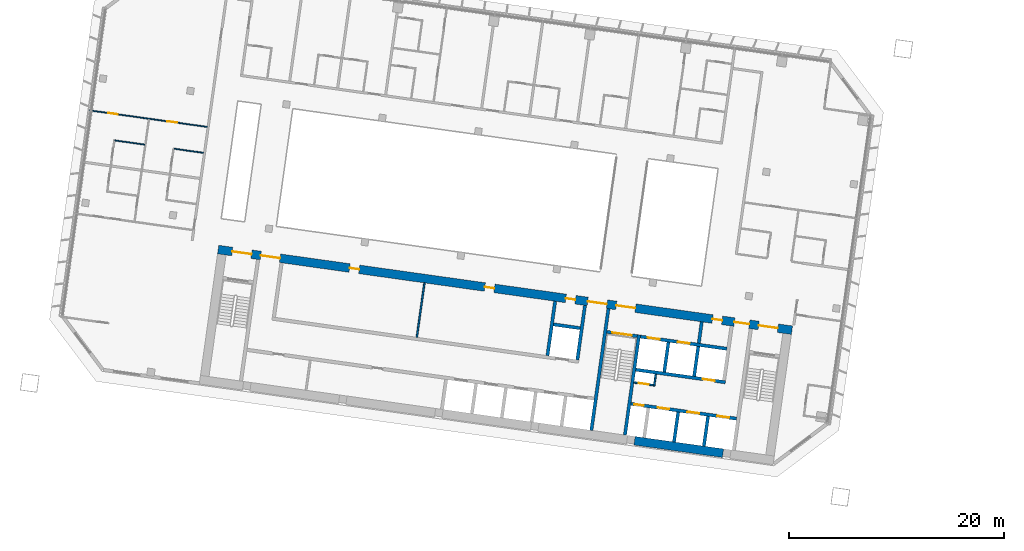
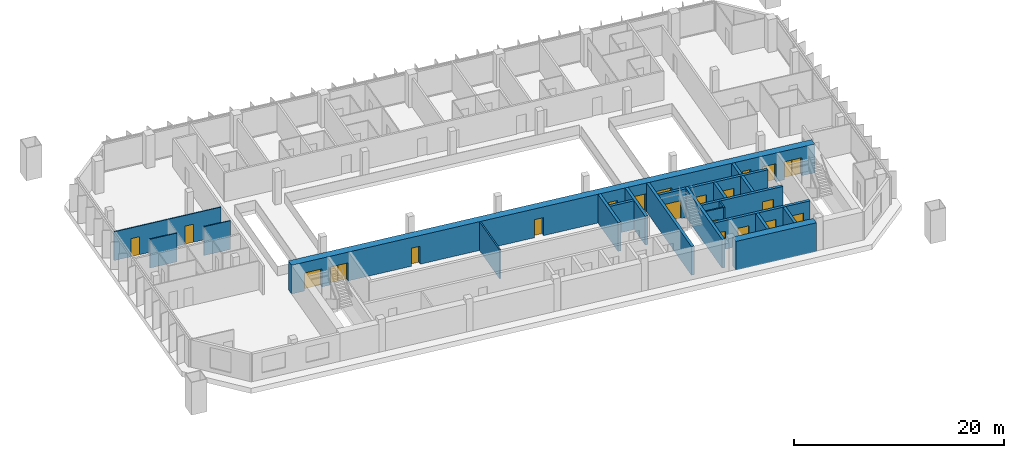
# One storey, part 15 of 24: 22 walls, 21 doors, 21 openings.
"""IFC4 building model written with IfcOpenShell, lengths in metres."""

from ifc_helpers import new_model, si_unit, direction, frame, frame_2d, origin, place, context, subcontext, project, spatial, rectangle, extrude, material, layer, layer_set, type_object, element, fill, save


model = new_model("IFC4")

# Units and contexts
model_context = context("Model", 3, precision=1e-05, world=origin(), true_north=direction((0.0, 1.0)))
body_context = subcontext(model_context, "Body", "Model", "MODEL_VIEW")
ifc_project = project(units=[si_unit("LENGTHUNIT", "METRE"), si_unit("AREAUNIT", "SQUARE_METRE"), si_unit("VOLUMEUNIT", "CUBIC_METRE"), si_unit("PLANEANGLEUNIT", "RADIAN"), si_unit("MASSUNIT", "GRAM", prefix="KILO")], contexts=[model_context])

# Site, building, storey
site_placement = place(None, origin())
site = spatial("IfcSite", under=ifc_project, at=site_placement, CompositionType="ELEMENT")
building_placement = place(site_placement, origin())
building = spatial("IfcBuilding", under=site, at=building_placement, Name="Mirante Cascada Hotel Towers", CompositionType="ELEMENT")
storey_placement = place(building_placement, frame((0.0, 0.0, 110.1)))
storey = spatial("IfcBuildingStorey", under=building, at=storey_placement, Name="L24", CompositionType="ELEMENT", Elevation=110.1)

# Wall
ifc_material_1 = material(Name="Masonry block", Category="masonry")
ifc_layer_1 = layer(ifc_material_1, 0.15)
ifc_layer_set_1 = layer_set([ifc_layer_1], Name="Core room partition 150 block EI 30")
wall_type_1 = type_object("IfcWallType", Name="Core room partition 150 block EI 30", PredefinedType="PARTITIONING", material=ifc_layer_set_1)
wall_1_placement = place(storey_placement, frame((-48.2295, -12.793, 0.0), z_axis=(0.0, 0.0, 1.0), x_axis=(0.1391935, 0.9902652, 0.0)))
element("IfcWall", 1, at=wall_1_placement, inside=storey, type_object=wall_type_1, Name="Core wall partition T1 L24 2", PredefinedType="PARTITIONING", context=body_context, shape_type="SweptSolid", body=[
    extrude(rectangle(XDim=1.1251, YDim=0.15, at=frame_2d((0.5626, 0.0))), origin(), (0.0, 0.0, 1.0), 3.35),
])

# Wall, opening, door
wall_2_placement = place(storey_placement, frame((-48.2933, -12.7083, 0.0), z_axis=(0.0, 0.0, 1.0), x_axis=(-0.990268, 0.1391734, 0.0)))
wall_2 = element("IfcWall", 2, at=wall_2_placement, inside=storey, type_object=wall_type_1, Name="Core wall partition T1 L24 3", PredefinedType="PARTITIONING", context=body_context, shape_type="SweptSolid", body=[
    extrude(rectangle(XDim=1.8251, YDim=0.15, at=frame_2d((0.9126, 0.0))), origin(), (0.0, 0.0, 1.0), 3.35),
])
opening_1_placement = place(wall_2_placement, frame((0.4625, 0.0, 0.0)))
opening_1 = element("IfcOpeningElement", 3, at=opening_1_placement, cuts=wall_2, Name="Opening D1-24-C23", PredefinedType="OPENING", context=body_context, shape_type="SweptSolid", body=[
    extrude(rectangle(XDim=0.9, YDim=2.1, at=frame_2d((0.45, 1.05))), frame((0.0, 0.075, 0.0), z_axis=(0.0, -1.0, 0.0), x_axis=(1.0, 0.0, 0.0)), (0.0, 0.0, 1.0), 0.15),
])
ifc_material_2 = material(Name="Hollow metal fire door leaf")
door_type_1 = type_object("IfcDoorType", Name="Fire door 900x2100 FD60", OperationType="NOTDEFINED", PredefinedType="DOOR", material=ifc_material_2)
door_1_placement = place(opening_1_placement, origin())
door_1 = element("IfcDoor", 4, at=door_1_placement, inside=storey, type_object=door_type_1, Name="Riser door T1 L24 23", OperationType="SINGLE_SWING_LEFT", OverallHeight=2.1, OverallWidth=0.9, PredefinedType="DOOR", context=body_context, shape_type="SweptSolid", body=[
    extrude(rectangle(XDim=0.9, YDim=2.1, at=frame_2d((0.45, 1.05))), frame((0.0, 0.025, 0.0), z_axis=(0.0, -1.0, 0.0), x_axis=(1.0, 0.0, 0.0)), (0.0, 0.0, 1.0), 0.05),
])
fill(opening_1, door_1)

# Walls
wall_3_placement = place(storey_placement, frame((-70.2627, -8.2574, 0.0), z_axis=(0.0, 0.0, 1.0), x_axis=(0.1391755, 0.9902677, 0.0)))
element("IfcWall", 5, at=wall_3_placement, inside=storey, type_object=wall_type_1, Name="Core wall partition T1 L24 5", PredefinedType="PARTITIONING", context=body_context, shape_type="SweptSolid", body=[
    extrude(rectangle(XDim=5.1, YDim=0.15, at=frame_2d((2.55, 0.0))), origin(), (0.0, 0.0, 1.0), 3.35),
])
ifc_material_3 = material(Name="Masonry block", Category="masonry")
ifc_layer_2 = layer(ifc_material_3, 0.3)
ifc_layer_set_2 = layer_set([ifc_layer_2], Name="Core wall 300 block EI 120")
wall_type_2 = type_object("IfcWallType", Name="Core wall 300 block EI 120", PredefinedType="PARTITIONING", material=ifc_layer_set_2)
wall_4_placement = place(storey_placement, frame((-44.0843, -8.8061, 0.0), z_axis=(0.0, 0.0, 1.0), x_axis=(0.1391951, 0.990265, 0.0)))
element("IfcWall", 6, at=wall_4_placement, inside=storey, type_object=wall_type_2, Name="Core wall partition T1 L24 1", PredefinedType="PARTITIONING", context=body_context, shape_type="SweptSolid", body=[
    extrude(rectangle(XDim=2.0001, YDim=0.3, at=frame_2d((1.0001, 0.0))), origin(), (0.0, 0.0, 1.0), 3.35),
])
ifc_material_4 = material(Name="Plasterboard on metal studs")
ifc_layer_3 = layer(ifc_material_4, 0.1)
ifc_layer_set_3 = layer_set([ifc_layer_3], Name="Partition 100")
wall_type_3 = type_object("IfcWallType", Name="Partition 100", PredefinedType="PARTITIONING", material=ifc_layer_set_3)
wall_5_placement = place(storey_placement, frame((-92.7956, 9.2489, 0.0), z_axis=(0.0, 0.0, 1.0), x_axis=(0.9902698, -0.1391607, 0.0)))
element("IfcWall", 7, at=wall_5_placement, inside=storey, type_object=wall_type_3, Name="Wall 1-L24-14", PredefinedType="PARTITIONING", context=body_context, shape_type="SweptSolid", body=[
    extrude(rectangle(XDim=2.7501, YDim=0.1, at=frame_2d((1.3751, 0.0))), origin(), (0.0, 0.0, 1.0), 3.35),
])
wall_6_placement = place(storey_placement, frame((-95.5188, 9.6317, 0.0), z_axis=(0.0, 0.0, 1.0), x_axis=(-0.9902726, 0.139141, 0.0)))
element("IfcWall", 8, at=wall_6_placement, inside=storey, type_object=wall_type_3, Name="Wall 1-L24-15", PredefinedType="PARTITIONING", context=body_context, shape_type="SweptSolid", body=[
    extrude(rectangle(XDim=2.8, YDim=0.1, at=frame_2d((1.4, 0.0))), origin(), (0.0, 0.0, 1.0), 3.35),
])

# Wall, openings, doors
wall_7_placement = place(storey_placement, frame((-89.7337, 11.2758, 0.0), z_axis=(0.0, 0.0, 1.0), x_axis=(-0.990268, 0.1391733, 0.0)))
wall_7 = element("IfcWall", 9, at=wall_7_placement, inside=storey, type_object=wall_type_3, Name="Wall 1-L24-17", PredefinedType="PARTITIONING", context=body_context, shape_type="SweptSolid", body=[
    extrude(rectangle(XDim=11.0, YDim=0.1, at=frame_2d((5.5, 0.0))), origin(), (0.0, 0.0, 1.0), 3.35),
])
opening_2_placement = place(wall_7_placement, frame((2.825, 0.0, 0.0)))
opening_2 = element("IfcOpeningElement", 10, at=opening_2_placement, cuts=wall_7, Name="Opening D1-L24-07", PredefinedType="OPENING", context=body_context, shape_type="SweptSolid", body=[
    extrude(rectangle(XDim=0.9, YDim=2.1, at=frame_2d((0.45, 1.05))), frame((0.0, 0.05, 0.0), z_axis=(0.0, -1.0, 0.0), x_axis=(1.0, 0.0, 0.0)), (0.0, 0.0, 1.0), 0.1),
])
opening_3_placement = place(wall_7_placement, frame((8.375, 0.0, 0.0)))
opening_3 = element("IfcOpeningElement", 11, at=opening_3_placement, cuts=wall_7, Name="Opening D1-L24-08", PredefinedType="OPENING", context=body_context, shape_type="SweptSolid", body=[
    extrude(rectangle(XDim=0.9, YDim=2.1, at=frame_2d((0.45, 1.05))), frame((0.0, 0.05, 0.0), z_axis=(0.0, -1.0, 0.0), x_axis=(1.0, 0.0, 0.0)), (0.0, 0.0, 1.0), 0.1),
])
ifc_material_5 = material(Name="Timber door leaf", Category="wood")
door_type_2 = type_object("IfcDoorType", Name="Room door DG3 900x2100", OperationType="SINGLE_SWING_LEFT", PredefinedType="DOOR", material=ifc_material_5)
door_2_placement = place(opening_2_placement, frame((0.9, 0.0, 0.0), z_axis=(0.0, 0.0, 1.0), x_axis=(-1.0, 0.0, 0.0)))
door_2 = element("IfcDoor", 12, at=door_2_placement, inside=storey, type_object=door_type_2, Name="Door D1-L24-07", OperationType="SINGLE_SWING_RIGHT", OverallHeight=2.1, OverallWidth=0.9, PredefinedType="DOOR", context=body_context, shape_type="SweptSolid", body=[
    extrude(rectangle(XDim=0.9, YDim=2.1, at=frame_2d((0.45, 1.05))), frame((0.0, 0.025, 0.0), z_axis=(0.0, -1.0, 0.0), x_axis=(1.0, 0.0, 0.0)), (0.0, 0.0, 1.0), 0.05),
])
fill(opening_2, door_2)
door_3_placement = place(opening_3_placement, frame((0.9, 0.0, 0.0), z_axis=(0.0, 0.0, 1.0), x_axis=(-1.0, 0.0, 0.0)))
door_3 = element("IfcDoor", 13, at=door_3_placement, inside=storey, type_object=door_type_2, Name="Door D1-L24-08", OperationType="SINGLE_SWING_RIGHT", OverallHeight=2.1, OverallWidth=0.9, PredefinedType="DOOR", context=body_context, shape_type="SweptSolid", body=[
    extrude(rectangle(XDim=0.9, YDim=2.1, at=frame_2d((0.45, 1.05))), frame((0.0, 0.025, 0.0), z_axis=(0.0, -1.0, 0.0), x_axis=(1.0, 0.0, 0.0)), (0.0, 0.0, 1.0), 0.05),
])
fill(opening_3, door_3)

# Walls
ifc_material_6 = material(Name="Concrete C50/60", Category="concrete")
ifc_layer_4 = layer(ifc_material_6, 0.3)
ifc_layer_set_4 = layer_set([ifc_layer_4], Name="RC core wall 300 C50/60")
wall_type_4 = type_object("IfcWallType", Name="RC core wall 300 C50/60", PredefinedType="SHEAR", material=ifc_layer_set_4)
wall_8_placement = place(storey_placement, frame((-50.938, -17.3352, 0.0), z_axis=(0.0, 0.0, 1.0), x_axis=(0.1391706, 0.9902684, 0.0)))
element("IfcWall", 14, at=wall_8_placement, inside=storey, type_object=wall_type_4, Name="Core wall T1:L24:6", PredefinedType="SHEAR", context=body_context, shape_type="SweptSolid", body=[
    extrude(rectangle(XDim=9.4, YDim=0.3, at=frame_2d((4.7, 0.0))), origin(), (0.0, 0.0, 1.0), 3.35),
])
wall_9_placement = place(storey_placement, frame((-54.0574, -16.8968, 0.0), z_axis=(0.0, 0.0, 1.0), x_axis=(0.1391761, 0.9902677, 0.0)))
element("IfcWall", 15, at=wall_9_placement, inside=storey, type_object=wall_type_4, Name="Core wall T1:L24:7", PredefinedType="SHEAR", context=body_context, shape_type="SweptSolid", body=[
    extrude(rectangle(XDim=11.3999, YDim=0.3, at=frame_2d((5.7, 0.0))), origin(), (0.0, 0.0, 1.0), 3.35),
])

# Wall, opening, door
wall_10_placement = place(storey_placement, frame((-49.7992, -8.1544, 0.0), z_axis=(0.0, 0.0, 1.0), x_axis=(-0.9902656, 0.1391909, 0.0)))
wall_10 = element("IfcWall", 16, at=wall_10_placement, inside=storey, type_object=wall_type_4, Name="Core wall T1:L24:10", PredefinedType="SHEAR", context=body_context, shape_type="SweptSolid", body=[
    extrude(rectangle(XDim=2.85, YDim=0.3, at=frame_2d((1.425, 0.0))), origin(), (0.0, 0.0, 1.0), 3.35),
])
opening_4_placement = place(wall_10_placement, frame((0.525, 0.0, 0.0)))
opening_4 = element("IfcOpeningElement", 17, at=opening_4_placement, cuts=wall_10, Name="Opening D1-24-C15", PredefinedType="OPENING", context=body_context, shape_type="SweptSolid", body=[
    extrude(rectangle(XDim=1.8, YDim=2.1, at=frame_2d((0.9, 1.05))), frame((0.0, 0.15, 0.0), z_axis=(0.0, -1.0, 0.0), x_axis=(1.0, 0.0, 0.0)), (0.0, 0.0, 1.0), 0.3),
])
ifc_material_7 = material(Name="Hollow metal fire door leaf")
door_type_3 = type_object("IfcDoorType", Name="Double fire door 1800x2100 FD60", OperationType="DOUBLE_DOOR_SINGLE_SWING", PredefinedType="DOOR", material=ifc_material_7)
door_4_placement = place(opening_4_placement, origin())
door_4 = element("IfcDoor", 18, at=door_4_placement, inside=storey, type_object=door_type_3, Name="Stair door T1 L24 15", OperationType="DOUBLE_DOOR_SINGLE_SWING", OverallHeight=2.1, OverallWidth=1.8, PredefinedType="DOOR", context=body_context, shape_type="SweptSolid", body=[
    extrude(rectangle(XDim=0.895, YDim=2.1, at=frame_2d((0.4475, 1.05))), frame((0.0, 0.025, 0.0), z_axis=(0.0, -1.0, 0.0), x_axis=(1.0, 0.0, 0.0)), (0.0, 0.0, 1.0), 0.05),
    extrude(rectangle(XDim=0.895, YDim=2.1, at=frame_2d((1.3525, 1.05))), frame((0.0, 0.025, 0.0), z_axis=(0.0, -1.0, 0.0), x_axis=(1.0, 0.0, 0.0)), (0.0, 0.0, 1.0), 0.05),
])
fill(opening_4, door_4)

# Wall, openings, doors
wall_11_placement = place(storey_placement, frame((-40.5753, -15.8126, 0.0), z_axis=(0.0, 0.0, 1.0), x_axis=(-0.9902682, 0.1391725, 0.0)))
wall_11 = element("IfcWall", 19, at=wall_11_placement, inside=storey, type_object=wall_type_4, Name="Core wall T1:L24:12", PredefinedType="SHEAR", context=body_context, shape_type="SweptSolid", body=[
    extrude(rectangle(XDim=9.8999, YDim=0.3, at=frame_2d((4.95, 0.0))), origin(), (0.0, 0.0, 1.0), 3.35),
])
opening_5_placement = place(wall_11_placement, frame((0.7, 0.0, 0.0)))
opening_5 = element("IfcOpeningElement", 20, at=opening_5_placement, cuts=wall_11, Name="Opening LD", PredefinedType="OPENING", context=body_context, shape_type="SweptSolid", body=[
    extrude(rectangle(XDim=1.1, YDim=2.1, at=frame_2d((0.55, 1.05))), frame((0.0, 0.15, 0.0), z_axis=(0.0, -1.0, 0.0), x_axis=(1.0, 0.0, 0.0)), (0.0, 0.0, 1.0), 0.3),
])
opening_6_placement = place(wall_11_placement, frame((3.5, 0.0, 0.0)))
opening_6 = element("IfcOpeningElement", 21, at=opening_6_placement, cuts=wall_11, Name="Opening LD", PredefinedType="OPENING", context=body_context, shape_type="SweptSolid", body=[
    extrude(rectangle(XDim=1.1, YDim=2.1, at=frame_2d((0.55, 1.05))), frame((0.0, 0.15, 0.0), z_axis=(0.0, -1.0, 0.0), x_axis=(1.0, 0.0, 0.0)), (0.0, 0.0, 1.0), 0.3),
])
opening_7_placement = place(wall_11_placement, frame((6.3, 0.0, 0.0)))
opening_7 = element("IfcOpeningElement", 22, at=opening_7_placement, cuts=wall_11, Name="Opening LD", PredefinedType="OPENING", context=body_context, shape_type="SweptSolid", body=[
    extrude(rectangle(XDim=1.1, YDim=2.1, at=frame_2d((0.55, 1.05))), frame((0.0, 0.15, 0.0), z_axis=(0.0, -1.0, 0.0), x_axis=(1.0, 0.0, 0.0)), (0.0, 0.0, 1.0), 0.3),
])
opening_8_placement = place(wall_11_placement, frame((8.7, 0.0, 0.0)))
opening_8 = element("IfcOpeningElement", 23, at=opening_8_placement, cuts=wall_11, Name="Opening D1-24-C22", PredefinedType="OPENING", context=body_context, shape_type="SweptSolid", body=[
    extrude(rectangle(XDim=0.9, YDim=2.1, at=frame_2d((0.45, 1.05))), frame((0.0, 0.15, 0.0), z_axis=(0.0, -1.0, 0.0), x_axis=(1.0, 0.0, 0.0)), (0.0, 0.0, 1.0), 0.3),
])
door_5_placement = place(opening_8_placement, origin())
door_5 = element("IfcDoor", 24, at=door_5_placement, inside=storey, type_object=door_type_1, Name="Riser door T1 L24 22", OperationType="SINGLE_SWING_LEFT", OverallHeight=2.1, OverallWidth=0.9, PredefinedType="DOOR", context=body_context, shape_type="SweptSolid", body=[
    extrude(rectangle(XDim=0.9, YDim=2.1, at=frame_2d((0.45, 1.05))), frame((0.0, 0.025, 0.0), z_axis=(0.0, -1.0, 0.0), x_axis=(1.0, 0.0, 0.0)), (0.0, 0.0, 1.0), 0.05),
])
fill(opening_8, door_5)
ifc_material_8 = material(Name="Stainless steel", Category="steel")
door_type_4 = type_object("IfcDoorType", Name="Lift landing door 1100x2100 EI 120", OperationType="DOUBLE_DOOR_SLIDING", PredefinedType="DOOR", material=ifc_material_8)
door_6_placement = place(opening_5_placement, origin())
door_6 = element("IfcDoor", 25, at=door_6_placement, inside=storey, type_object=door_type_4, Name="Lift landing door HR1-1 L24", OperationType="DOUBLE_DOOR_SLIDING", OverallHeight=2.1, OverallWidth=1.1, PredefinedType="DOOR", context=body_context, shape_type="SweptSolid", body=[
    extrude(rectangle(XDim=0.545, YDim=2.1, at=frame_2d((0.2725, 1.05))), frame((0.0, 0.025, 0.0), z_axis=(0.0, -1.0, 0.0), x_axis=(1.0, 0.0, 0.0)), (0.0, 0.0, 1.0), 0.05),
    extrude(rectangle(XDim=0.545, YDim=2.1, at=frame_2d((0.8275, 1.05))), frame((0.0, 0.025, 0.0), z_axis=(0.0, -1.0, 0.0), x_axis=(1.0, 0.0, 0.0)), (0.0, 0.0, 1.0), 0.05),
])
fill(opening_5, door_6)
door_7_placement = place(opening_6_placement, origin())
door_7 = element("IfcDoor", 26, at=door_7_placement, inside=storey, type_object=door_type_4, Name="Lift landing door HR1-2 L24", OperationType="DOUBLE_DOOR_SLIDING", OverallHeight=2.1, OverallWidth=1.1, PredefinedType="DOOR", context=body_context, shape_type="SweptSolid", body=[
    extrude(rectangle(XDim=0.545, YDim=2.1, at=frame_2d((0.2725, 1.05))), frame((0.0, 0.025, 0.0), z_axis=(0.0, -1.0, 0.0), x_axis=(1.0, 0.0, 0.0)), (0.0, 0.0, 1.0), 0.05),
    extrude(rectangle(XDim=0.545, YDim=2.1, at=frame_2d((0.8275, 1.05))), frame((0.0, 0.025, 0.0), z_axis=(0.0, -1.0, 0.0), x_axis=(1.0, 0.0, 0.0)), (0.0, 0.0, 1.0), 0.05),
])
fill(opening_6, door_7)
door_8_placement = place(opening_7_placement, origin())
door_8 = element("IfcDoor", 27, at=door_8_placement, inside=storey, type_object=door_type_4, Name="Lift landing door HR1-3 L24", OperationType="DOUBLE_DOOR_SLIDING", OverallHeight=2.1, OverallWidth=1.1, PredefinedType="DOOR", context=body_context, shape_type="SweptSolid", body=[
    extrude(rectangle(XDim=0.545, YDim=2.1, at=frame_2d((0.2725, 1.05))), frame((0.0, 0.025, 0.0), z_axis=(0.0, -1.0, 0.0), x_axis=(1.0, 0.0, 0.0)), (0.0, 0.0, 1.0), 0.05),
    extrude(rectangle(XDim=0.545, YDim=2.1, at=frame_2d((0.8275, 1.05))), frame((0.0, 0.025, 0.0), z_axis=(0.0, -1.0, 0.0), x_axis=(1.0, 0.0, 0.0)), (0.0, 0.0, 1.0), 0.05),
])
fill(opening_7, door_8)

# Wall, opening, door
wall_12_placement = place(storey_placement, frame((-41.6153, -12.435, 0.0), z_axis=(0.0, 0.0, 1.0), x_axis=(-0.9902691, 0.139166, 0.0)))
wall_12 = element("IfcWall", 28, at=wall_12_placement, inside=storey, type_object=wall_type_4, Name="Core wall T1:L24:13", PredefinedType="SHEAR", context=body_context, shape_type="SweptSolid", body=[
    extrude(rectangle(XDim=8.4, YDim=0.3, at=frame_2d((4.2, 0.0))), origin(), (0.0, 0.0, 1.0), 3.35),
])
opening_9_placement = place(wall_12_placement, frame((1.0, 0.0, 0.0)))
opening_9 = element("IfcOpeningElement", 29, at=opening_9_placement, cuts=wall_12, Name="Opening LD", PredefinedType="OPENING", context=body_context, shape_type="SweptSolid", body=[
    extrude(rectangle(XDim=1.1, YDim=2.1, at=frame_2d((0.55, 1.05))), frame((0.0, 0.15, 0.0), z_axis=(0.0, -1.0, 0.0), x_axis=(1.0, 0.0, 0.0)), (0.0, 0.0, 1.0), 0.3),
])
door_9_placement = place(opening_9_placement, origin())
door_9 = element("IfcDoor", 30, at=door_9_placement, inside=storey, type_object=door_type_4, Name="Lift landing door HR1-4 L24", OperationType="DOUBLE_DOOR_SLIDING", OverallHeight=2.1, OverallWidth=1.1, PredefinedType="DOOR", context=body_context, shape_type="SweptSolid", body=[
    extrude(rectangle(XDim=0.545, YDim=2.1, at=frame_2d((0.2725, 1.05))), frame((0.0, 0.025, 0.0), z_axis=(0.0, -1.0, 0.0), x_axis=(1.0, 0.0, 0.0)), (0.0, 0.0, 1.0), 0.05),
    extrude(rectangle(XDim=0.545, YDim=2.1, at=frame_2d((0.8275, 1.05))), frame((0.0, 0.025, 0.0), z_axis=(0.0, -1.0, 0.0), x_axis=(1.0, 0.0, 0.0)), (0.0, 0.0, 1.0), 0.05),
])
fill(opening_9, door_9)

# Wall, openings, doors
wall_13_placement = place(storey_placement, frame((-41.481, -9.3234, 0.0), z_axis=(0.0, 0.0, 1.0), x_axis=(-0.9902679, 0.1391741, 0.0)))
wall_13 = element("IfcWall", 31, at=wall_13_placement, inside=storey, type_object=wall_type_4, Name="Core wall T1:L24:14", PredefinedType="SHEAR", context=body_context, shape_type="SweptSolid", body=[
    extrude(rectangle(XDim=8.0999, YDim=0.3, at=frame_2d((4.05, 0.0))), origin(), (0.0, 0.0, 1.0), 3.35),
])
opening_10_placement = place(wall_13_placement, frame((3.5, 0.0, 0.0)))
opening_10 = element("IfcOpeningElement", 32, at=opening_10_placement, cuts=wall_13, Name="Opening LD", PredefinedType="OPENING", context=body_context, shape_type="SweptSolid", body=[
    extrude(rectangle(XDim=1.1, YDim=2.1, at=frame_2d((0.55, 1.05))), frame((0.0, 0.15, 0.0), z_axis=(0.0, -1.0, 0.0), x_axis=(1.0, 0.0, 0.0)), (0.0, 0.0, 1.0), 0.3),
])
opening_11_placement = place(wall_13_placement, frame((6.3, 0.0, 0.0)))
opening_11 = element("IfcOpeningElement", 33, at=opening_11_placement, cuts=wall_13, Name="Opening LD", PredefinedType="OPENING", context=body_context, shape_type="SweptSolid", body=[
    extrude(rectangle(XDim=1.1, YDim=2.1, at=frame_2d((0.55, 1.05))), frame((0.0, 0.15, 0.0), z_axis=(0.0, -1.0, 0.0), x_axis=(1.0, 0.0, 0.0)), (0.0, 0.0, 1.0), 0.3),
])
door_10_placement = place(opening_10_placement, origin())
door_10 = element("IfcDoor", 34, at=door_10_placement, inside=storey, type_object=door_type_4, Name="Lift landing door FF1 L24", OperationType="DOUBLE_DOOR_SLIDING", OverallHeight=2.1, OverallWidth=1.1, PredefinedType="DOOR", context=body_context, shape_type="SweptSolid", body=[
    extrude(rectangle(XDim=0.545, YDim=2.1, at=frame_2d((0.2725, 1.05))), frame((0.0, 0.025, 0.0), z_axis=(0.0, -1.0, 0.0), x_axis=(1.0, 0.0, 0.0)), (0.0, 0.0, 1.0), 0.05),
    extrude(rectangle(XDim=0.545, YDim=2.1, at=frame_2d((0.8275, 1.05))), frame((0.0, 0.025, 0.0), z_axis=(0.0, -1.0, 0.0), x_axis=(1.0, 0.0, 0.0)), (0.0, 0.0, 1.0), 0.05),
])
fill(opening_10, door_10)
door_11_placement = place(opening_11_placement, origin())
door_11 = element("IfcDoor", 35, at=door_11_placement, inside=storey, type_object=door_type_4, Name="Lift landing door FF2 L24", OperationType="DOUBLE_DOOR_SLIDING", OverallHeight=2.1, OverallWidth=1.1, PredefinedType="DOOR", context=body_context, shape_type="SweptSolid", body=[
    extrude(rectangle(XDim=0.545, YDim=2.1, at=frame_2d((0.2725, 1.05))), frame((0.0, 0.025, 0.0), z_axis=(0.0, -1.0, 0.0), x_axis=(1.0, 0.0, 0.0)), (0.0, 0.0, 1.0), 0.05),
    extrude(rectangle(XDim=0.545, YDim=2.1, at=frame_2d((0.8275, 1.05))), frame((0.0, 0.025, 0.0), z_axis=(0.0, -1.0, 0.0), x_axis=(1.0, 0.0, 0.0)), (0.0, 0.0, 1.0), 0.05),
])
fill(opening_11, door_11)

# Walls
wall_14_placement = place(storey_placement, frame((-43.61, -18.3651, 0.0), z_axis=(0.0, 0.0, 1.0), x_axis=(0.1391459, 0.9902719, 0.0)))
element("IfcWall", 36, at=wall_14_placement, inside=storey, type_object=wall_type_4, Name="Core wall T1:L24:15", PredefinedType="SHEAR", context=body_context, shape_type="SweptSolid", body=[
    extrude(rectangle(XDim=2.7999, YDim=0.3, at=frame_2d((1.4, 0.0))), origin(), (0.0, 0.0, 1.0), 3.35),
])
for number, where, z_axis, x_axis, name in (
    (37, (-46.3828, -17.9754, 0.0), (0.0, 0.0, 1.0), (0.139181, 0.990267, 0.0), "Core wall T1:L24:16"),
    (38, (-44.5157, -11.8759, 0.0), (0.0, 0.0, 1.0), (0.139181, 0.990267, 0.0), "Core wall T1:L24:18"),
    (39, (-47.2885, -11.4862, 0.0), (0.0, 0.0, 1.0), (0.139181, 0.990267, 0.0), "Core wall T1:L24:19"),
):
    element("IfcWall", number, at=place(storey_placement, frame(where, z_axis=z_axis, x_axis=x_axis)), inside=storey, type_object=wall_type_4, Name=name, PredefinedType="SHEAR", context=body_context, shape_type="SweptSolid", body=[
        extrude(rectangle(XDim=2.8, YDim=0.3, at=frame_2d((1.4, 0.0))), origin(), (0.0, 0.0, 1.0), 3.35),
    ])
for number, where, z_axis, x_axis, name in (
    (40, (-55.3592, -10.352, 0.0), (0.0, 0.0, 1.0), (0.1391755, 0.9902677, 0.0), "Core wall T1:L24:32"),
    (41, (-58.1319, -9.9623, 0.0), (0.0, 0.0, 1.0), (0.1391755, 0.9902677, 0.0), "Core wall T1:L24:34"),
):
    element("IfcWall", number, at=place(storey_placement, frame(where, z_axis=z_axis, x_axis=x_axis)), inside=storey, type_object=wall_type_4, Name=name, PredefinedType="SHEAR", context=body_context, shape_type="SweptSolid", body=[
        extrude(rectangle(XDim=5.1, YDim=0.3, at=frame_2d((2.55, 0.0))), origin(), (0.0, 0.0, 1.0), 3.35),
    ])
wall_15_placement = place(storey_placement, frame((-55.0971, -7.4098, 0.0), z_axis=(0.0, 0.0, 1.0), x_axis=(-0.9902701, 0.1391586, 0.0)))
element("IfcWall", 42, at=wall_15_placement, inside=storey, type_object=wall_type_4, Name="Core wall T1:L24:35", PredefinedType="SHEAR", context=body_context, shape_type="SweptSolid", body=[
    extrude(rectangle(XDim=2.5, YDim=0.3, at=frame_2d((1.25, 0.0))), origin(), (0.0, 0.0, 1.0), 3.35),
])
ifc_material_9 = material(Name="Concrete C50/60", Category="concrete")
ifc_layer_5 = layer(ifc_material_9, 0.8)
ifc_layer_set_5 = layer_set([ifc_layer_5], Name="RC core wall 800 C50/60")
wall_type_5 = type_object("IfcWallType", Name="RC core wall 800 C50/60", PredefinedType="SHEAR", material=ifc_layer_set_5)
wall_16_placement = place(storey_placement, frame((-41.8337, -19.0187, 0.0), z_axis=(0.0, 0.0, 1.0), x_axis=(-0.9902686, 0.1391692, 0.0)))
element("IfcWall", 43, at=wall_16_placement, inside=storey, type_object=wall_type_5, Name="Core wall T1:L24:1.2", PredefinedType="SHEAR", context=body_context, shape_type="SweptSolid", body=[
    extrude(rectangle(XDim=8.3, YDim=0.8, at=frame_2d((4.15, 0.0))), origin(), (0.0, 0.0, 1.0), 3.35),
])

# Wall, openings, doors
wall_17_placement = place(storey_placement, frame((-35.432, -7.5985, 0.0), z_axis=(0.0, 0.0, 1.0), x_axis=(-0.9902681, 0.1391729, 0.0)))
wall_17 = element("IfcWall", 44, at=wall_17_placement, inside=storey, type_object=wall_type_5, Name="Core wall T1:L24:2", PredefinedType="SHEAR", context=body_context, shape_type="SweptSolid", body=[
    extrude(rectangle(XDim=53.8, YDim=0.8, at=frame_2d((26.9, 0.0))), origin(), (0.0, 0.0, 1.0), 3.35),
])
opening_12_placement = place(wall_17_placement, frame((1.325, 0.0, 0.0)))
opening_12 = element("IfcOpeningElement", 45, at=opening_12_placement, cuts=wall_17, Name="Opening D1-24-C14", PredefinedType="OPENING", context=body_context, shape_type="SweptSolid", body=[
    extrude(rectangle(XDim=1.8, YDim=2.1, at=frame_2d((0.9, 1.05))), frame((0.0, 0.4, 0.0), z_axis=(0.0, -1.0, 0.0), x_axis=(1.0, 0.0, 0.0)), (0.0, 0.0, 1.0), 0.8),
])
opening_13_placement = place(wall_17_placement, frame((14.675, 0.0, 0.0)))
opening_13 = element("IfcOpeningElement", 46, at=opening_13_placement, cuts=wall_17, Name="Opening D1-24-C16", PredefinedType="OPENING", context=body_context, shape_type="SweptSolid", body=[
    extrude(rectangle(XDim=1.8, YDim=2.1, at=frame_2d((0.9, 1.05))), frame((0.0, 0.4, 0.0), z_axis=(0.0, -1.0, 0.0), x_axis=(1.0, 0.0, 0.0)), (0.0, 0.0, 1.0), 0.8),
])
opening_14_placement = place(wall_17_placement, frame((50.675, 0.0, 0.0)))
opening_14 = element("IfcOpeningElement", 47, at=opening_14_placement, cuts=wall_17, Name="Opening D1-24-C18", PredefinedType="OPENING", context=body_context, shape_type="SweptSolid", body=[
    extrude(rectangle(XDim=1.8, YDim=2.1, at=frame_2d((0.9, 1.05))), frame((0.0, 0.4, 0.0), z_axis=(0.0, -1.0, 0.0), x_axis=(1.0, 0.0, 0.0)), (0.0, 0.0, 1.0), 0.8),
])
opening_15_placement = place(wall_17_placement, frame((4.0, 0.0, 0.0)))
opening_15 = element("IfcOpeningElement", 48, at=opening_15_placement, cuts=wall_17, Name="Opening D1-24-C19", PredefinedType="OPENING", context=body_context, shape_type="SweptSolid", body=[
    extrude(rectangle(XDim=1.4, YDim=2.1, at=frame_2d((0.7, 1.05))), frame((0.0, 0.4, 0.0), z_axis=(0.0, -1.0, 0.0), x_axis=(1.0, 0.0, 0.0)), (0.0, 0.0, 1.0), 0.8),
])
opening_16_placement = place(wall_17_placement, frame((17.35, 0.0, 0.0)))
opening_16 = element("IfcOpeningElement", 49, at=opening_16_placement, cuts=wall_17, Name="Opening D1-24-C20", PredefinedType="OPENING", context=body_context, shape_type="SweptSolid", body=[
    extrude(rectangle(XDim=1.8, YDim=2.1, at=frame_2d((0.9, 1.05))), frame((0.0, 0.4, 0.0), z_axis=(0.0, -1.0, 0.0), x_axis=(1.0, 0.0, 0.0)), (0.0, 0.0, 1.0), 0.8),
])
opening_17_placement = place(wall_17_placement, frame((48.0, 0.0, 0.0)))
opening_17 = element("IfcOpeningElement", 50, at=opening_17_placement, cuts=wall_17, Name="Opening D1-24-C21", PredefinedType="OPENING", context=body_context, shape_type="SweptSolid", body=[
    extrude(rectangle(XDim=1.8, YDim=2.1, at=frame_2d((0.9, 1.05))), frame((0.0, 0.4, 0.0), z_axis=(0.0, -1.0, 0.0), x_axis=(1.0, 0.0, 0.0)), (0.0, 0.0, 1.0), 0.8),
])
opening_18_placement = place(wall_17_placement, frame((6.55, 0.0, 0.0)))
opening_18 = element("IfcOpeningElement", 51, at=opening_18_placement, cuts=wall_17, Name="Opening D1-24-C24", PredefinedType="OPENING", context=body_context, shape_type="SweptSolid", body=[
    extrude(rectangle(XDim=0.9, YDim=2.1, at=frame_2d((0.45, 1.05))), frame((0.0, 0.4, 0.0), z_axis=(0.0, -1.0, 0.0), x_axis=(1.0, 0.0, 0.0)), (0.0, 0.0, 1.0), 0.8),
])
opening_19_placement = place(wall_17_placement, frame((20.3, 0.0, 0.0)))
opening_19 = element("IfcOpeningElement", 52, at=opening_19_placement, cuts=wall_17, Name="Opening D1-24-C27", PredefinedType="OPENING", context=body_context, shape_type="SweptSolid", body=[
    extrude(rectangle(XDim=0.9, YDim=2.1, at=frame_2d((0.45, 1.05))), frame((0.0, 0.4, 0.0), z_axis=(0.0, -1.0, 0.0), x_axis=(1.0, 0.0, 0.0)), (0.0, 0.0, 1.0), 0.8),
])
opening_20_placement = place(wall_17_placement, frame((27.9, 0.0, 0.0)))
opening_20 = element("IfcOpeningElement", 53, at=opening_20_placement, cuts=wall_17, Name="Opening D1-24-C28", PredefinedType="OPENING", context=body_context, shape_type="SweptSolid", body=[
    extrude(rectangle(XDim=0.9, YDim=2.1, at=frame_2d((0.45, 1.05))), frame((0.0, 0.4, 0.0), z_axis=(0.0, -1.0, 0.0), x_axis=(1.0, 0.0, 0.0)), (0.0, 0.0, 1.0), 0.8),
])
opening_21_placement = place(wall_17_placement, frame((40.575, 0.0, 0.0)))
opening_21 = element("IfcOpeningElement", 54, at=opening_21_placement, cuts=wall_17, Name="Opening D1-24-C29", PredefinedType="OPENING", context=body_context, shape_type="SweptSolid", body=[
    extrude(rectangle(XDim=0.9, YDim=2.1, at=frame_2d((0.45, 1.05))), frame((0.0, 0.4, 0.0), z_axis=(0.0, -1.0, 0.0), x_axis=(1.0, 0.0, 0.0)), (0.0, 0.0, 1.0), 0.8),
])
ifc_material_10 = material(Name="Hollow metal fire door leaf")
door_type_5 = type_object("IfcDoorType", Name="Double fire door 1400x2100 FD60", OperationType="DOUBLE_DOOR_SINGLE_SWING", PredefinedType="DOOR", material=ifc_material_10)
door_12_placement = place(opening_15_placement, frame((1.4, 0.0, 0.0), z_axis=(0.0, 0.0, 1.0), x_axis=(-1.0, 0.0, 0.0)))
door_12 = element("IfcDoor", 55, at=door_12_placement, inside=storey, type_object=door_type_5, Name="Exit door to gallery T1 L24 19", OperationType="DOUBLE_DOOR_SINGLE_SWING", OverallHeight=2.1, OverallWidth=1.4, PredefinedType="DOOR", context=body_context, shape_type="SweptSolid", body=[
    extrude(rectangle(XDim=0.695, YDim=2.1, at=frame_2d((0.3475, 1.05))), frame((0.0, 0.025, 0.0), z_axis=(0.0, -1.0, 0.0), x_axis=(1.0, 0.0, 0.0)), (0.0, 0.0, 1.0), 0.05),
    extrude(rectangle(XDim=0.695, YDim=2.1, at=frame_2d((1.0525, 1.05))), frame((0.0, 0.025, 0.0), z_axis=(0.0, -1.0, 0.0), x_axis=(1.0, 0.0, 0.0)), (0.0, 0.0, 1.0), 0.05),
])
fill(opening_15, door_12)
door_13_placement = place(opening_12_placement, origin())
door_13 = element("IfcDoor", 56, at=door_13_placement, inside=storey, type_object=door_type_3, Name="Exit door to gallery T1 L24 14", OperationType="DOUBLE_DOOR_SINGLE_SWING", OverallHeight=2.1, OverallWidth=1.8, PredefinedType="DOOR", context=body_context, shape_type="SweptSolid", body=[
    extrude(rectangle(XDim=0.895, YDim=2.1, at=frame_2d((0.4475, 1.05))), frame((0.0, 0.025, 0.0), z_axis=(0.0, -1.0, 0.0), x_axis=(1.0, 0.0, 0.0)), (0.0, 0.0, 1.0), 0.05),
    extrude(rectangle(XDim=0.895, YDim=2.1, at=frame_2d((1.3525, 1.05))), frame((0.0, 0.025, 0.0), z_axis=(0.0, -1.0, 0.0), x_axis=(1.0, 0.0, 0.0)), (0.0, 0.0, 1.0), 0.05),
])
fill(opening_12, door_13)
door_14_placement = place(opening_13_placement, origin())
door_14 = element("IfcDoor", 57, at=door_14_placement, inside=storey, type_object=door_type_3, Name="Exit door to gallery T1 L24 16", OperationType="DOUBLE_DOOR_SINGLE_SWING", OverallHeight=2.1, OverallWidth=1.8, PredefinedType="DOOR", context=body_context, shape_type="SweptSolid", body=[
    extrude(rectangle(XDim=0.895, YDim=2.1, at=frame_2d((0.4475, 1.05))), frame((0.0, 0.025, 0.0), z_axis=(0.0, -1.0, 0.0), x_axis=(1.0, 0.0, 0.0)), (0.0, 0.0, 1.0), 0.05),
    extrude(rectangle(XDim=0.895, YDim=2.1, at=frame_2d((1.3525, 1.05))), frame((0.0, 0.025, 0.0), z_axis=(0.0, -1.0, 0.0), x_axis=(1.0, 0.0, 0.0)), (0.0, 0.0, 1.0), 0.05),
])
fill(opening_13, door_14)
door_15_placement = place(opening_14_placement, origin())
door_15 = element("IfcDoor", 58, at=door_15_placement, inside=storey, type_object=door_type_3, Name="Exit door to gallery T1 L24 18", OperationType="DOUBLE_DOOR_SINGLE_SWING", OverallHeight=2.1, OverallWidth=1.8, PredefinedType="DOOR", context=body_context, shape_type="SweptSolid", body=[
    extrude(rectangle(XDim=0.895, YDim=2.1, at=frame_2d((0.4475, 1.05))), frame((0.0, 0.025, 0.0), z_axis=(0.0, -1.0, 0.0), x_axis=(1.0, 0.0, 0.0)), (0.0, 0.0, 1.0), 0.05),
    extrude(rectangle(XDim=0.895, YDim=2.1, at=frame_2d((1.3525, 1.05))), frame((0.0, 0.025, 0.0), z_axis=(0.0, -1.0, 0.0), x_axis=(1.0, 0.0, 0.0)), (0.0, 0.0, 1.0), 0.05),
])
fill(opening_14, door_15)
door_16_placement = place(opening_16_placement, frame((1.8, 0.0, 0.0), z_axis=(0.0, 0.0, 1.0), x_axis=(-1.0, 0.0, 0.0)))
door_16 = element("IfcDoor", 59, at=door_16_placement, inside=storey, type_object=door_type_3, Name="Exit door to gallery T1 L24 20", OperationType="DOUBLE_DOOR_SINGLE_SWING", OverallHeight=2.1, OverallWidth=1.8, PredefinedType="DOOR", context=body_context, shape_type="SweptSolid", body=[
    extrude(rectangle(XDim=0.895, YDim=2.1, at=frame_2d((0.4475, 1.05))), frame((0.0, 0.025, 0.0), z_axis=(0.0, -1.0, 0.0), x_axis=(1.0, 0.0, 0.0)), (0.0, 0.0, 1.0), 0.05),
    extrude(rectangle(XDim=0.895, YDim=2.1, at=frame_2d((1.3525, 1.05))), frame((0.0, 0.025, 0.0), z_axis=(0.0, -1.0, 0.0), x_axis=(1.0, 0.0, 0.0)), (0.0, 0.0, 1.0), 0.05),
])
fill(opening_16, door_16)
door_17_placement = place(opening_17_placement, frame((1.8, 0.0, 0.0), z_axis=(0.0, 0.0, 1.0), x_axis=(-1.0, 0.0, 0.0)))
door_17 = element("IfcDoor", 60, at=door_17_placement, inside=storey, type_object=door_type_3, Name="Exit door to gallery T1 L24 21", OperationType="DOUBLE_DOOR_SINGLE_SWING", OverallHeight=2.1, OverallWidth=1.8, PredefinedType="DOOR", context=body_context, shape_type="SweptSolid", body=[
    extrude(rectangle(XDim=0.895, YDim=2.1, at=frame_2d((0.4475, 1.05))), frame((0.0, 0.025, 0.0), z_axis=(0.0, -1.0, 0.0), x_axis=(1.0, 0.0, 0.0)), (0.0, 0.0, 1.0), 0.05),
    extrude(rectangle(XDim=0.895, YDim=2.1, at=frame_2d((1.3525, 1.05))), frame((0.0, 0.025, 0.0), z_axis=(0.0, -1.0, 0.0), x_axis=(1.0, 0.0, 0.0)), (0.0, 0.0, 1.0), 0.05),
])
fill(opening_17, door_17)
door_18_placement = place(opening_18_placement, origin())
door_18 = element("IfcDoor", 61, at=door_18_placement, inside=storey, type_object=door_type_1, Name="Room door T1 L24 24", OperationType="SINGLE_SWING_RIGHT", OverallHeight=2.1, OverallWidth=0.9, PredefinedType="DOOR", context=body_context, shape_type="SweptSolid", body=[
    extrude(rectangle(XDim=0.9, YDim=2.1, at=frame_2d((0.45, 1.05))), frame((0.0, 0.025, 0.0), z_axis=(0.0, -1.0, 0.0), x_axis=(1.0, 0.0, 0.0)), (0.0, 0.0, 1.0), 0.05),
])
fill(opening_18, door_18)
door_19_placement = place(opening_19_placement, origin())
door_19 = element("IfcDoor", 62, at=door_19_placement, inside=storey, type_object=door_type_1, Name="Room door T1 L24 27", OperationType="SINGLE_SWING_RIGHT", OverallHeight=2.1, OverallWidth=0.9, PredefinedType="DOOR", context=body_context, shape_type="SweptSolid", body=[
    extrude(rectangle(XDim=0.9, YDim=2.1, at=frame_2d((0.45, 1.05))), frame((0.0, 0.025, 0.0), z_axis=(0.0, -1.0, 0.0), x_axis=(1.0, 0.0, 0.0)), (0.0, 0.0, 1.0), 0.05),
])
fill(opening_19, door_19)
door_20_placement = place(opening_20_placement, origin())
door_20 = element("IfcDoor", 63, at=door_20_placement, inside=storey, type_object=door_type_1, Name="Room door T1 L24 28", OperationType="SINGLE_SWING_LEFT", OverallHeight=2.1, OverallWidth=0.9, PredefinedType="DOOR", context=body_context, shape_type="SweptSolid", body=[
    extrude(rectangle(XDim=0.9, YDim=2.1, at=frame_2d((0.45, 1.05))), frame((0.0, 0.025, 0.0), z_axis=(0.0, -1.0, 0.0), x_axis=(1.0, 0.0, 0.0)), (0.0, 0.0, 1.0), 0.05),
])
fill(opening_20, door_20)
door_21_placement = place(opening_21_placement, origin())
door_21 = element("IfcDoor", 64, at=door_21_placement, inside=storey, type_object=door_type_1, Name="Room door T1 L24 29", OperationType="SINGLE_SWING_LEFT", OverallHeight=2.1, OverallWidth=0.9, PredefinedType="DOOR", context=body_context, shape_type="SweptSolid", body=[
    extrude(rectangle(XDim=0.9, YDim=2.1, at=frame_2d((0.45, 1.05))), frame((0.0, 0.025, 0.0), z_axis=(0.0, -1.0, 0.0), x_axis=(1.0, 0.0, 0.0)), (0.0, 0.0, 1.0), 0.05),
])
fill(opening_21, door_21)

save(model, "model.ifc")
